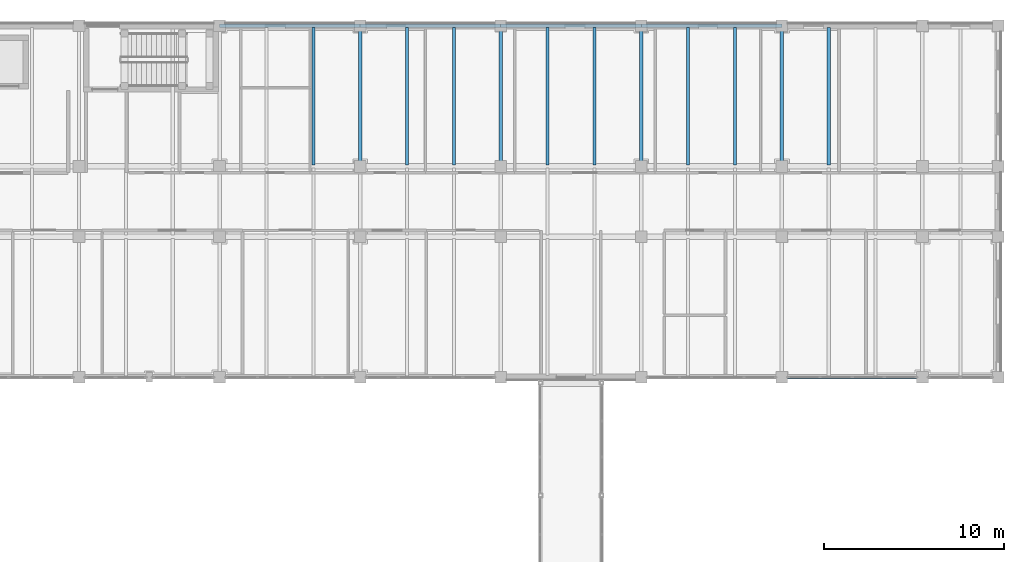
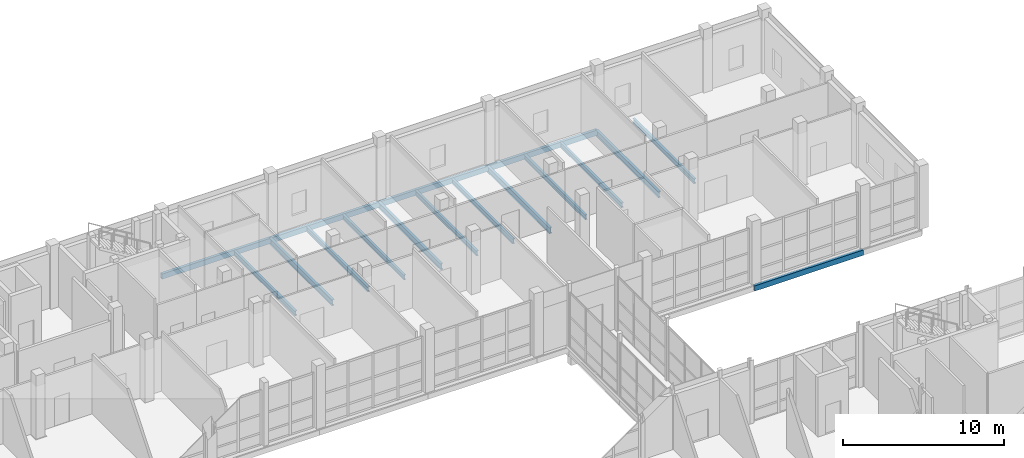
# One storey, part 69 of 131: 17 beams.
"""IFC4 building model written with IfcOpenShell, lengths in metres."""

from ifc_helpers import new_model, si_unit, direction, frame, origin, origin_2d, place, context, subcontext, project, spatial, hollow_rectangle, i_section, extrude, material, material_profile, profile_set, type_object, element, save


model = new_model("IFC4")

# Units and contexts
model_context = context("Model", 3, precision=1e-05, world=origin(), true_north=direction((0.0, 1.0)))
body_context = subcontext(model_context, "Body", "Model", "MODEL_VIEW")
ifc_project = project(units=[si_unit("LENGTHUNIT", "METRE"), si_unit("AREAUNIT", "SQUARE_METRE"), si_unit("VOLUMEUNIT", "CUBIC_METRE"), si_unit("PLANEANGLEUNIT", "RADIAN"), si_unit("MASSUNIT", "GRAM", prefix="KILO")], contexts=[model_context])

# Site, building, storey
site_placement = place(None, origin())
site = spatial("IfcSite", under=ifc_project, at=site_placement, CompositionType="ELEMENT")
building_placement = place(site_placement, origin())
building = spatial("IfcBuilding", under=site, at=building_placement, Name="Celorna Specialist Clinic", CompositionType="ELEMENT")
storey_placement = place(building_placement, origin())
storey = spatial("IfcBuildingStorey", under=building, at=storey_placement, Name="L00", CompositionType="ELEMENT", Elevation=0.0)

# Beams
ifc_material = material(Name="Steel S355", Category="steel")
ifc_material_profile_1 = material_profile(ifc_material, i_section(OverallWidth=0.18994140625, OverallDepth=0.449951171875, WebThickness=0.009521484375, FlangeThickness=0.0146484375, at=origin_2d()), Name="IPE 450")
ifc_profile_set_1 = profile_set([ifc_material_profile_1], Name="Steel S355")
beam_type_1 = type_object("IfcBeamType", Name="BM-09", PredefinedType="BEAM", material=ifc_profile_set_1)
for number, where, z_axis, x_axis, name in (
    (1, (132.60009765625, 108.199951171875, -0.52490234375), (0.0, 1.0, 0.0), (-1.0, 0.0, 0.0), "Transverse girder BM-09 #765"),
    (2, (140.39990234375, 108.199951171875, -0.52490234375), (0.0, 1.0, 0.0), (-1.0, 0.0, 0.0), "Transverse girder BM-09 #768"),
    (3, (148.199951171875, 108.199951171875, -0.52490234375), (0.0, 1.0, 0.0), (-1.0, 0.0, 0.0), "Transverse girder BM-09 #771"),
    (4, (156.0, 108.199951171875, -0.52490234375), (0.0, 1.0, 0.0), (-1.0, 0.0, 0.0), "Transverse girder BM-09 #774"),
):
    element("IfcBeam", number, at=place(storey_placement, frame(where, z_axis=z_axis, x_axis=x_axis)), inside=storey, type_object=beam_type_1, Name=name, PredefinedType="BEAM", context=body_context, shape_type="SweptSolid", body=[
        extrude(i_section(OverallWidth=0.18994140625, OverallDepth=0.449951171875, WebThickness=0.009521484375, FlangeThickness=0.0146484375, at=origin_2d()), origin(), (0.0, 0.0, 1.0), 7.800048828125),
    ])
ifc_material_profile_2 = material_profile(ifc_material, i_section(OverallWidth=0.169921875, OverallDepth=0.360107421875, WebThickness=0.008056640625, FlangeThickness=0.0126953125, at=origin_2d()), Name="IPE 360")
ifc_profile_set_2 = profile_set([ifc_material_profile_2], Name="Steel S355")
beam_type_2 = type_object("IfcBeamType", Name="BM-11", PredefinedType="JOIST", material=ifc_profile_set_2)
for number, where, z_axis, x_axis, name in (
    (5, (130.0, 108.2880859375, -0.47998046875), (0.0, 1.0, 0.0), (-1.0, 0.0, 0.0), "Secondary floor joist BM-11 #841"),
    (6, (135.199951171875, 108.2880859375, -0.47998046875), (0.0, 1.0, 0.0), (-1.0, 0.0, 0.0), "Secondary floor joist BM-11 #846"),
    (7, (137.800048828125, 108.2880859375, -0.47998046875), (0.0, 1.0, 0.0), (-1.0, 0.0, 0.0), "Secondary floor joist BM-11 #847"),
    (8, (143.0, 108.2880859375, -0.47998046875), (0.0, 1.0, 0.0), (-1.0, 0.0, 0.0), "Secondary floor joist BM-11 #852"),
    (9, (145.60009765625, 108.2880859375, -0.47998046875), (0.0, 1.0, 0.0), (-1.0, 0.0, 0.0), "Secondary floor joist BM-11 #853"),
    (10, (150.800048828125, 108.2880859375, -0.47998046875), (0.0, 1.0, 0.0), (-1.0, 0.0, 0.0), "Secondary floor joist BM-11 #858"),
    (11, (153.39990234375, 108.2880859375, -0.47998046875), (0.0, 1.0, 0.0), (-1.0, 0.0, 0.0), "Secondary floor joist BM-11 #859"),
    (12, (158.60009765625, 108.2880859375, -0.47998046875), (0.0, 1.0, 0.0), (-1.0, 0.0, 0.0), "Secondary floor joist BM-11 #864"),
):
    element("IfcBeam", number, at=place(storey_placement, frame(where, z_axis=z_axis, x_axis=x_axis)), inside=storey, type_object=beam_type_2, Name=name, PredefinedType="JOIST", context=body_context, shape_type="SweptSolid", body=[
        extrude(i_section(OverallWidth=0.169921875, OverallDepth=0.360107421875, WebThickness=0.008056640625, FlangeThickness=0.0126953125, at=origin_2d()), origin(), (0.0, 0.0, 1.0), 7.6240234375),
    ])
ifc_material_profile_3 = material_profile(ifc_material, hollow_rectangle(XDim=0.199951171875, YDim=0.39990234375, WallThickness=0.011962890625, at=origin_2d()), Name="RHS 200x400x12")
ifc_profile_set_3 = profile_set([ifc_material_profile_3], Name="Steel S355")
beam_type_3 = type_object("IfcBeamType", Name="BM-15", PredefinedType="SPANDREL", material=ifc_profile_set_3)
for number, where, z_axis, x_axis, name in (
    (13, (156.0, 96.5, -0.5), (1.0, 0.0, 0.0), (0.0, 1.0, 0.0), "Spandrel beam BM-15 #680"),
    (14, (124.800048828125, 116.0, -0.5), (1.0, 0.0, 0.0), (0.0, 1.0, 0.0), "Spandrel beam BM-15 #724"),
):
    element("IfcBeam", number, at=place(storey_placement, frame(where, z_axis=z_axis, x_axis=x_axis)), inside=storey, type_object=beam_type_3, Name=name, PredefinedType="SPANDREL", context=body_context, shape_type="SweptSolid", body=[
        extrude(hollow_rectangle(XDim=0.199951171875, YDim=0.39990234375, WallThickness=0.011962890625, at=origin_2d()), origin(), (0.0, 0.0, 1.0), 7.800048828125),
    ])
beam_placement = place(storey_placement, frame((132.60009765625, 116.0, -0.5), z_axis=(1.0, 0.0, 0.0), x_axis=(0.0, 1.0, 0.0)))
element("IfcBeam", 15, at=beam_placement, inside=storey, type_object=beam_type_3, Name="Spandrel beam BM-15 #725", PredefinedType="SPANDREL", context=body_context, shape_type="SweptSolid", body=[
    extrude(hollow_rectangle(XDim=0.199951171875, YDim=0.39990234375, WallThickness=0.011962890625, at=origin_2d()), origin(), (0.0, 0.0, 1.0), 7.7998046875),
])
for number, where, z_axis, x_axis, name in (
    (16, (140.39990234375, 116.0, -0.5), (1.0, 0.0, 0.0), (0.0, 1.0, 0.0), "Spandrel beam BM-15 #726"),
    (17, (148.199951171875, 116.0, -0.5), (1.0, 0.0, 0.0), (0.0, 1.0, 0.0), "Spandrel beam BM-15 #727"),
):
    element("IfcBeam", number, at=place(storey_placement, frame(where, z_axis=z_axis, x_axis=x_axis)), inside=storey, type_object=beam_type_3, Name=name, PredefinedType="SPANDREL", context=body_context, shape_type="SweptSolid", body=[
        extrude(hollow_rectangle(XDim=0.199951171875, YDim=0.39990234375, WallThickness=0.011962890625, at=origin_2d()), origin(), (0.0, 0.0, 1.0), 7.800048828125),
    ])

save(model, "model.ifc")
